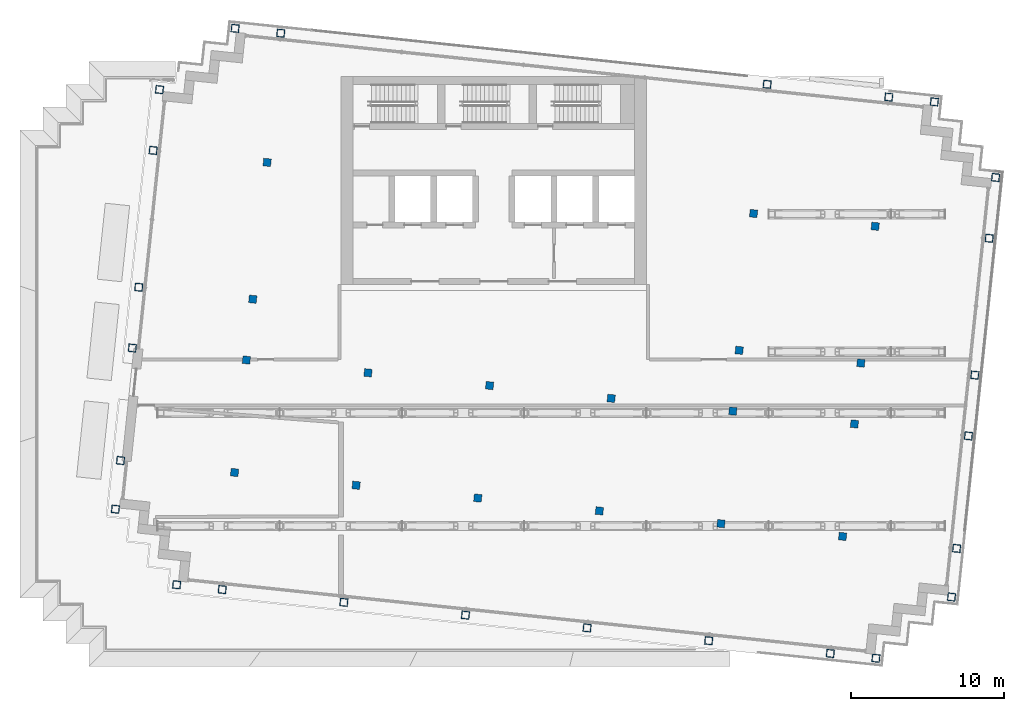
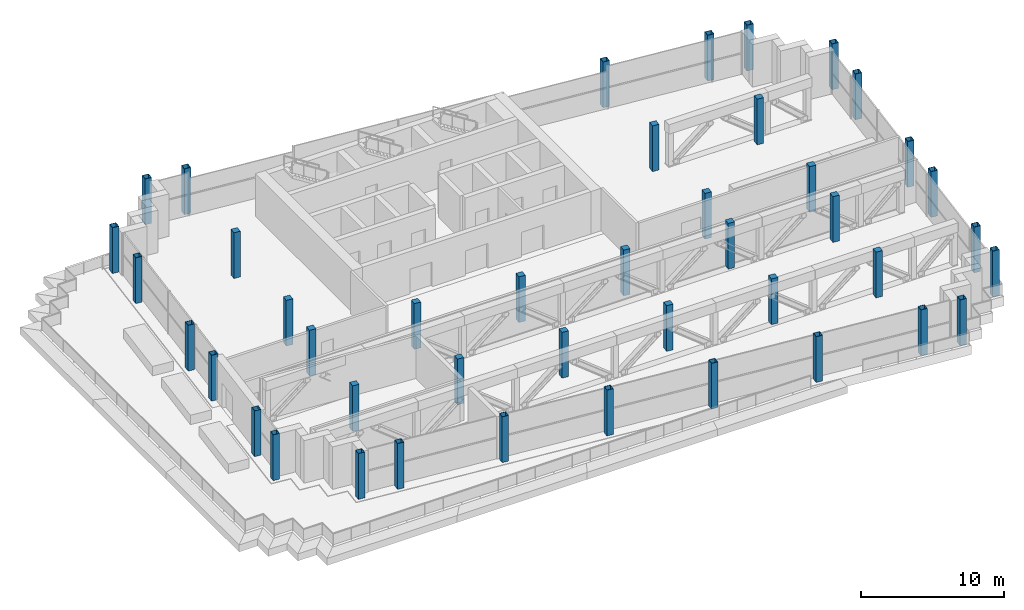
# One storey, part 1 of 18: 43 columns.
"""IFC4 building model written with IfcOpenShell, lengths in metres."""

import ifcopenshell
import ifcopenshell.guid

model = None  # the IFC model being written
_history = None  # IfcOwnerHistory: only IFC2X3 demands one
_inside = {}  # id of a spatial element -> (the spatial element, [elements in it])
_under = {}  # id of a project, library or spatial element -> (it, [spatial elements below it])
_declared = {}  # id of a project -> (the project, [libraries it declares])
_typed = {}  # id of a type object -> (the type object, [elements of that type])
_made_of = {}  # id of a material, layer set ... -> (it, [elements and type objects made of it])


def new_model(schema):
    """Start an empty IFC model of exactly this schema.

    Asked for "IFC4X3", IfcOpenShell would pick the latest addendum, in which some entities
    have other attributes; the version numbers below select the first issue.
    IFC2X3 requires an IfcOwnerHistory on every rooted entity: one is made here for all.
    """
    global model, _history
    if schema == "IFC4X3":
        model = ifcopenshell.file(schema_version=(4, 3, 0, 0))
    else:
        model = ifcopenshell.file(schema=schema)
    _inside.clear()
    _under.clear()
    _declared.clear()
    _typed.clear()
    _made_of.clear()
    _history = None
    if model.schema == "IFC2X3":
        org = make("IfcOrganization", Name="unknown")
        user = make(
            "IfcPersonAndOrganization",
            ThePerson=make("IfcPerson", FamilyName="unknown"),
            TheOrganization=org,
        )
        app = make(
            "IfcApplication",
            ApplicationDeveloper=org,
            Version="unknown",
            ApplicationFullName="unknown",
            ApplicationIdentifier="unknown",
        )
        _history = make(
            "IfcOwnerHistory",
            OwningUser=user,
            OwningApplication=app,
            ChangeAction="ADDED",
            CreationDate=0,
        )
    return model


def make(cls, **values):
    """One entity of the class cls with the attributes given. An attribute that is None is left unset."""
    return model.create_entity(
        cls, **{name: value for name, value in values.items() if value is not None}
    )


def rooted(cls, **values):
    """An entity with a GlobalId (a new one), such as an element, a storey or a relation."""
    return make(cls, GlobalId=ifcopenshell.guid.new(), OwnerHistory=_history, **values)


def si_unit(unit_type, name, prefix=None):
    """IfcSIUnit, for example si_unit("LENGTHUNIT", "METRE", prefix="MILLI")."""
    return make("IfcSIUnit", UnitType=unit_type, Prefix=prefix, Name=name)


def assignment(units):
    """IfcUnitAssignment: the units of a project."""
    return None if units is None else make("IfcUnitAssignment", Units=units)


def point(xyz):
    """IfcCartesianPoint."""
    return None if xyz is None else make("IfcCartesianPoint", Coordinates=xyz)


def direction(xyz):
    """IfcDirection."""
    return None if xyz is None else make("IfcDirection", DirectionRatios=xyz)


def frame(location, z_axis=None, x_axis=None):
    """IfcAxis2Placement3D, a coordinate frame: its origin and axes. An axis left out is left unset."""
    return make(
        "IfcAxis2Placement3D",
        Location=point(location),
        Axis=direction(z_axis),
        RefDirection=direction(x_axis),
    )


def frame_2d(location, x_axis=None):
    """IfcAxis2Placement2D, a coordinate frame in the plane: its origin and x axis."""
    return make(
        "IfcAxis2Placement2D", Location=point(location), RefDirection=direction(x_axis)
    )


def origin():
    """The frame at (0, 0, 0) with its axes left unset."""
    return frame((0.0, 0.0, 0.0))


def origin_2d():
    """The frame at (0, 0) in the plane with its x axis left unset."""
    return frame_2d((0.0, 0.0))


def place(relative_to, where):
    """IfcLocalPlacement: puts the frame where relative to a parent placement (None: the world)."""
    return make(
        "IfcLocalPlacement", PlacementRelTo=relative_to, RelativePlacement=where
    )


def context(
    kind, dimensions, precision=None, world=None, true_north=None, identifier=None
):
    """IfcGeometricRepresentationContext, for example the 3D "Model" context."""
    return make(
        "IfcGeometricRepresentationContext",
        ContextIdentifier=identifier,
        ContextType=kind,
        CoordinateSpaceDimension=dimensions,
        Precision=precision,
        WorldCoordinateSystem=world,
        TrueNorth=true_north,
    )


def subcontext(parent, identifier, kind, view, scale=None):
    """IfcGeometricRepresentationSubContext, for example "Body" below "Model"."""
    return make(
        "IfcGeometricRepresentationSubContext",
        ContextIdentifier=identifier,
        ContextType=kind,
        ParentContext=parent,
        TargetScale=scale,
        TargetView=view,
    )


def project(units=None, contexts=None):
    """IfcProject with its units and contexts."""
    return rooted(
        "IfcProject",
        Name="project",
        RepresentationContexts=contexts,
        UnitsInContext=assignment(units),
    )


def spatial(cls, under=None, at=None, **own):
    """A site, building, storey or space (cls), placed at a placement, below another one or the project."""
    s = rooted(cls, ObjectPlacement=at, **own)
    if under is not None:
        _under.setdefault(under.id(), (under, []))[1].append(s)
    return s


def profile(cls, at=None, kind="AREA", **sizes):
    """A parametric profile (cls). Its sizes go by their IFC names, for example OverallWidth=200.0."""
    return make(cls, ProfileType=kind, Position=at, **sizes)


def rectangle(**sizes):
    """IfcRectangleProfileDef."""
    return profile("IfcRectangleProfileDef", **sizes)


def hollow_rectangle(**sizes):
    """IfcRectangleHollowProfileDef."""
    return profile("IfcRectangleHollowProfileDef", **sizes)


def extrude(swept, where, along, depth):
    """IfcExtrudedAreaSolid: the profile swept, set in the frame where, extruded along a direction by depth."""
    return make(
        "IfcExtrudedAreaSolid",
        SweptArea=swept,
        Position=where,
        ExtrudedDirection=direction(along),
        Depth=depth,
    )


def shape(context_of_items, identifier, shape_type, items):
    """IfcShapeRepresentation: the items that make up one representation, for example the "Body"."""
    return make(
        "IfcShapeRepresentation",
        ContextOfItems=context_of_items,
        RepresentationIdentifier=identifier,
        RepresentationType=shape_type,
        Items=items,
    )


def material(Name=None, Category=None):
    """IfcMaterial."""
    return make("IfcMaterial", Name=Name, Category=Category)


def material_profile(
    of_material, cross_section, Name=None, Category=None, Priority=None
):
    """IfcMaterialProfile: a cross section and its material."""
    return make(
        "IfcMaterialProfile",
        Name=Name,
        Material=of_material,
        Profile=cross_section,
        Priority=Priority,
        Category=Category,
    )


def profile_set(profiles, Name=None, composite=None):
    """IfcMaterialProfileSet."""
    return make(
        "IfcMaterialProfileSet",
        Name=Name,
        MaterialProfiles=profiles,
        CompositeProfile=composite,
    )


def made_of(thing, what):
    """Note that an element or type object is made of a material, layer set ...; save() writes the relation."""
    if what is not None:
        _made_of.setdefault(what.id(), (what, []))[1].append(thing)
    return thing


def type_object(cls, material=None, **own):
    """A type object (cls), such as IfcWallType, which elements share."""
    return made_of(rooted(cls, **own), material)


def element(
    cls,
    number,
    at=None,
    inside=None,
    cuts=None,
    type_object=None,
    material=None,
    context=None,
    identifier="Body",
    shape_type=None,
    held_by="IfcProductDefinitionShape",
    body=None,
    shapes=None,
    **own,
):
    """One element of the class cls, such as IfcWall. Its Tag is "e" and its number.

    at: its placement. inside: the storey or other place that contains it. cuts: it is an
    opening in that element (IfcRelVoidsElement). A single representation is given by context,
    identifier, shape_type and body (its items); several are given by shapes. held_by: the class
    of the entity that holds the representations. save() writes the other relations.
    """
    e = rooted(cls, Tag="e%d" % number, ObjectPlacement=at, **own)
    if body is not None:
        shapes = [shape(context, identifier, shape_type, body)]
    if shapes is not None:
        e.Representation = make(held_by, Representations=shapes)
    if inside is not None:
        _inside.setdefault(inside.id(), (inside, []))[1].append(e)
    if cuts is not None:
        rooted(
            "IfcRelVoidsElement", RelatingBuildingElement=cuts, RelatedOpeningElement=e
        )
    if type_object is not None:
        _typed.setdefault(type_object.id(), (type_object, []))[1].append(e)
    return made_of(e, material)


def aggregate(whole, parts):
    """IfcRelAggregates: a whole, such as a stair, and the parts it consists of."""
    return rooted("IfcRelAggregates", RelatingObject=whole, RelatedObjects=parts)


def save(model, path):
    """Write the relations noted so far, then the file.

    IfcRelAggregates (storeys below a building ...), IfcRelContainedInSpatialStructure (elements
    in a storey), IfcRelDefinesByType, IfcRelAssociatesMaterial and IfcRelDeclares: one each for
    every whole, place, type object, material and project.
    """
    for whole, parts in _under.values():
        aggregate(whole, parts)
    for where, things in _inside.values():
        rooted(
            "IfcRelContainedInSpatialStructure",
            RelatedElements=things,
            RelatingStructure=where,
        )
    for kind, things in _typed.values():
        rooted("IfcRelDefinesByType", RelatedObjects=things, RelatingType=kind)
    for what, things in _made_of.values():
        rooted("IfcRelAssociatesMaterial", RelatedObjects=things, RelatingMaterial=what)
    for by, libraries in _declared.values():
        rooted("IfcRelDeclares", RelatingContext=by, RelatedDefinitions=libraries)
    model.write(path)


model = new_model("IFC4")

# Units and contexts
model_context = context("Model", 3, precision=1e-05, world=origin(), true_north=direction((0.0, 1.0)))
body_context = subcontext(model_context, "Body", "Model", "MODEL_VIEW")
ifc_project = project(units=[si_unit("LENGTHUNIT", "METRE"), si_unit("AREAUNIT", "SQUARE_METRE"), si_unit("VOLUMEUNIT", "CUBIC_METRE"), si_unit("PLANEANGLEUNIT", "RADIAN"), si_unit("MASSUNIT", "GRAM", prefix="KILO")], contexts=[model_context])

# Site, building, storey
site_placement = place(None, origin())
site = spatial("IfcSite", under=ifc_project, at=site_placement, CompositionType="ELEMENT")
building_placement = place(site_placement, origin())
building = spatial("IfcBuilding", under=site, at=building_placement, Name="Vidyagriha Tower", CompositionType="ELEMENT")
storey_placement = place(building_placement, frame((0.0, 0.0, 249.199951171875)))
storey = spatial("IfcBuildingStorey", under=building, at=storey_placement, Name="L64", CompositionType="ELEMENT", Elevation=249.199951171875)

# Columns
ifc_material_1 = material(Name="Steel ASTM A572 Grade 50", Category="steel")
ifc_material_profile_1 = material_profile(ifc_material_1, hollow_rectangle(XDim=0.5, YDim=0.5, WallThickness=0.02490234375, at=origin_2d()), Name="BOX 500x500x25")
ifc_profile_set_1 = profile_set([ifc_material_profile_1], Name="Steel ASTM A572 Grade 50")
column_type_1 = type_object("IfcColumnType", Name="Exoskeleton column BOX 500x500x25", PredefinedType="COLUMN", material=ifc_profile_set_1)
for number, where, z_axis, x_axis, name in (
    (1, (-20.751953125, -13.24267578125, 0.0), (0.0, 0.0, 1.0), (0.994521895368, -0.104528463268, 0.0), "st-col-L64-B6-001"),
    (2, (-17.768310546875, -13.55615234375, 0.0), (0.0, 0.0, 1.0), (0.994521895368, -0.104528463268, 0.0), "st-col-L64-B6-002"),
    (3, (-9.812255859375, -14.392333984375, 0.0), (0.0, 0.0, 1.0), (0.994521895368, -0.104528463268, 0.0), "st-col-L64-B6-003"),
    (4, (-1.856201171875, -15.228515625, 0.0), (0.0, 0.0, 1.0), (0.994521895368, -0.104528463268, 0.0), "st-col-L64-B6-004"),
    (5, (6.10009765625, -16.06494140625, 0.0), (0.0, 0.0, 1.0), (0.994521895368, -0.104528463268, 0.0), "st-col-L64-B6-005"),
    (6, (14.056396484375, -16.901123046875, 0.0), (0.0, 0.0, 1.0), (0.994521895368, -0.104528463268, 0.0), "st-col-L64-B6-006"),
    (7, (22.012451171875, -17.7373046875, 0.0), (0.0, 0.0, 1.0), (0.994521895368, -0.104528463268, 0.0), "st-col-L64-B6-007"),
    (8, (24.99609375, -18.05078125, 0.0), (0.0, 0.0, 1.0), (0.994521895368, -0.104528463268, 0.0), "st-col-L64-B6-008"),
    (9, (-24.757080078125, -8.296875, 0.0), (0.0, 0.0, 1.0), (0.994521895368, -0.104528463268, 0.0), "st-col-L64-B6-009"),
    (10, (29.941650390625, -14.0458984375, 0.0), (0.0, 0.0, 1.0), (0.994521895368, -0.104528463268, 0.0), "st-col-L64-B6-010"),
    (11, (-24.422607421875, -5.114501953125, 0.0), (0.0, 0.0, 1.0), (0.994521895368, -0.104528463268, 0.0), "st-col-L64-B6-011"),
    (12, (30.276123046875, -10.863525390625, 0.0), (0.0, 0.0, 1.0), (0.994521895368, -0.104528463268, 0.0), "st-col-L64-B6-018"),
    (13, (-23.64892578125, 2.2451171875, 0.0), (0.0, 0.0, 1.0), (0.994521895368, -0.104528463268, 0.0), "st-col-L64-B6-019"),
    (14, (31.0498046875, -3.50390625, 0.0), (0.0, 0.0, 1.0), (0.994521895368, -0.104528463268, 0.0), "st-col-L64-B6-026"),
    (15, (-23.23095703125, 6.22314453125, 0.0), (0.0, 0.0, 1.0), (0.994521895368, -0.104528463268, 0.0), "st-col-L64-B6-027"),
    (16, (31.4677734375, 0.47412109375, 0.0), (0.0, 0.0, 1.0), (0.994521895368, -0.104528463268, 0.0), "st-col-L64-B6-031"),
    (17, (-22.2900390625, 15.173828125, 0.0), (0.0, 0.0, 1.0), (0.994521895368, -0.104528463268, 0.0), "st-col-L64-B6-032"),
    (18, (32.40869140625, 9.4248046875, 0.0), (0.0, 0.0, 1.0), (0.994521895368, -0.104528463268, 0.0), "st-col-L64-B6-036"),
    (19, (-21.8720703125, 19.15185546875, 0.0), (0.0, 0.0, 1.0), (0.994521895368, -0.104528463268, 0.0), "st-col-L64-B6-037"),
    (20, (32.82666015625, 13.40283203125, 0.0), (0.0, 0.0, 1.0), (0.994521895368, -0.104528463268, 0.0), "st-col-L64-B6-038"),
    (21, (-16.92626953125, 23.156982421875, 0.0), (0.0, 0.0, 1.0), (0.994521895368, -0.104528463268, 0.0), "st-col-L64-B6-039"),
    (22, (-13.942626953125, 22.84326171875, 0.0), (0.0, 0.0, 1.0), (0.994521895368, -0.104528463268, 0.0), "st-col-L64-B6-040"),
    (23, (17.882080078125, 19.498291015625, 0.0), (0.0, 0.0, 1.0), (0.994521895368, -0.104528463268, 0.0), "st-col-L64-B6-041"),
    (24, (25.838134765625, 18.662109375, 0.0), (0.0, 0.0, 1.0), (0.994521895368, -0.104528463268, 0.0), "st-col-L64-B6-042"),
    (25, (28.82177734375, 18.3486328125, 0.0), (0.0, 0.0, 1.0), (0.994521895368, -0.104528463268, 0.0), "st-col-L64-B6-043"),
):
    element("IfcColumn", number, at=place(storey_placement, frame(where, z_axis=z_axis, x_axis=x_axis)), inside=storey, type_object=column_type_1, Name=name, PredefinedType="COLUMN", context=body_context, shape_type="SweptSolid", body=[
        extrude(hollow_rectangle(XDim=0.5, YDim=0.5, WallThickness=0.02490234375, at=origin_2d()), origin(), (0.0, 0.0, 1.0), 3.900146484375),
    ])
ifc_material_2 = material(Name="Concrete C60/75", Category="concrete")
ifc_material_profile_2 = material_profile(ifc_material_2, rectangle(XDim=0.5, YDim=0.5, at=origin_2d()), Name="RC 500x500")
ifc_profile_set_2 = profile_set([ifc_material_profile_2], Name="Concrete C60/75")
column_type_2 = type_object("IfcColumnType", Name="Frame column RC 500x500", PredefinedType="COLUMN", material=ifc_profile_set_2)
for number, where, z_axis, x_axis, name in (
    (26, (-16.963623046875, -5.8984375, 0.0), (0.0, 0.0, 1.0), (0.994521895368, -0.104528463268, 0.0), "st-col-L64-B6-012"),
    (27, (-9.00732421875, -6.734619140625, 0.0), (0.0, 0.0, 1.0), (0.994521895368, -0.104528463268, 0.0), "st-col-L64-B6-013"),
    (28, (-1.05126953125, -7.57080078125, 0.0), (0.0, 0.0, 1.0), (0.994521895368, -0.104528463268, 0.0), "st-col-L64-B6-014"),
    (29, (6.905029296875, -8.406982421875, 0.0), (0.0, 0.0, 1.0), (0.994521895368, -0.104528463268, 0.0), "st-col-L64-B6-015"),
    (30, (14.861083984375, -9.243408203125, 0.0), (0.0, 0.0, 1.0), (0.994521895368, -0.104528463268, 0.0), "st-col-L64-B6-016"),
    (31, (22.8173828125, -10.07958984375, 0.0), (0.0, 0.0, 1.0), (0.994521895368, -0.104528463268, 0.0), "st-col-L64-B6-017"),
    (32, (-16.190185546875, 1.461181640625, 0.0), (0.0, 0.0, 1.0), (0.994521895368, -0.104528463268, 0.0), "st-col-L64-B6-020"),
    (33, (-8.23388671875, 0.625, 0.0), (0.0, 0.0, 1.0), (0.994521895368, -0.104528463268, 0.0), "st-col-L64-B6-021"),
    (34, (-0.277587890625, -0.21142578125, 0.0), (0.0, 0.0, 1.0), (0.994521895368, -0.104528463268, 0.0), "st-col-L64-B6-022"),
    (35, (7.678466796875, -1.047607421875, 0.0), (0.0, 0.0, 1.0), (0.994521895368, -0.104528463268, 0.0), "st-col-L64-B6-023"),
    (36, (15.634521484375, -1.8837890625, 0.0), (0.0, 0.0, 1.0), (0.994521895368, -0.104528463268, 0.0), "st-col-L64-B6-024"),
    (37, (23.5908203125, -2.72021484375, 0.0), (0.0, 0.0, 1.0), (0.994521895368, -0.104528463268, 0.0), "st-col-L64-B6-025"),
    (38, (-15.77197265625, 5.439208984375, 0.0), (0.0, 0.0, 1.0), (0.994521895368, -0.104528463268, 0.0), "st-col-L64-B6-028"),
    (39, (16.052734375, 2.09423828125, 0.0), (0.0, 0.0, 1.0), (0.994521895368, -0.104528463268, 0.0), "st-col-L64-B6-029"),
    (40, (24.0087890625, 1.258056640625, 0.0), (0.0, 0.0, 1.0), (0.994521895368, -0.104528463268, 0.0), "st-col-L64-B6-030"),
    (41, (-14.831298828125, 14.389892578125, 0.0), (0.0, 0.0, 1.0), (0.994521895368, -0.104528463268, 0.0), "st-col-L64-B6-033"),
    (42, (16.993408203125, 11.044921875, 0.0), (0.0, 0.0, 1.0), (0.994521895368, -0.104528463268, 0.0), "st-col-L64-B6-034"),
    (43, (24.94970703125, 10.208740234375, 0.0), (0.0, 0.0, 1.0), (0.994521895368, -0.104528463268, 0.0), "st-col-L64-B6-035"),
):
    element("IfcColumn", number, at=place(storey_placement, frame(where, z_axis=z_axis, x_axis=x_axis)), inside=storey, type_object=column_type_2, Name=name, PredefinedType="COLUMN", context=body_context, shape_type="SweptSolid", body=[
        extrude(rectangle(XDim=0.5, YDim=0.5, at=origin_2d()), origin(), (0.0, 0.0, 1.0), 3.900146484375),
    ])

save(model, "model.ifc")
